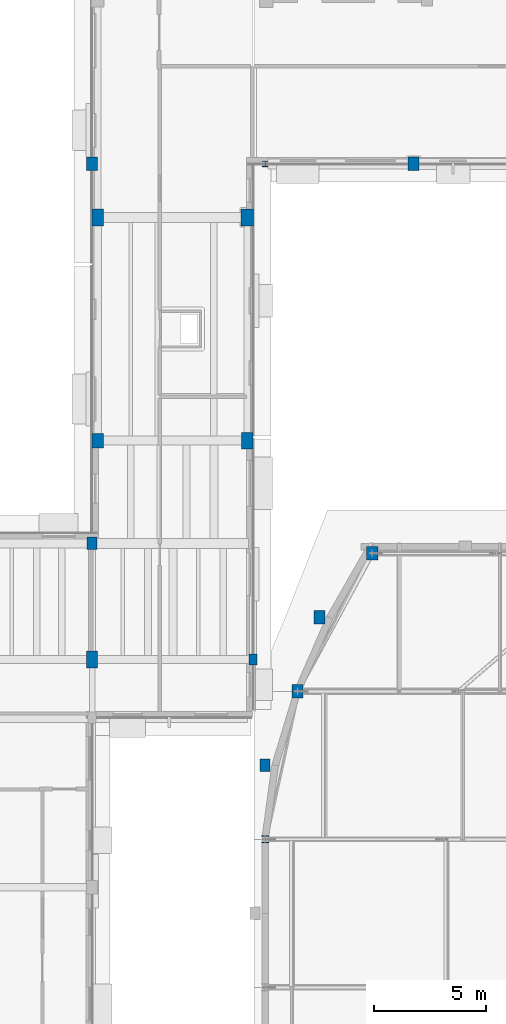
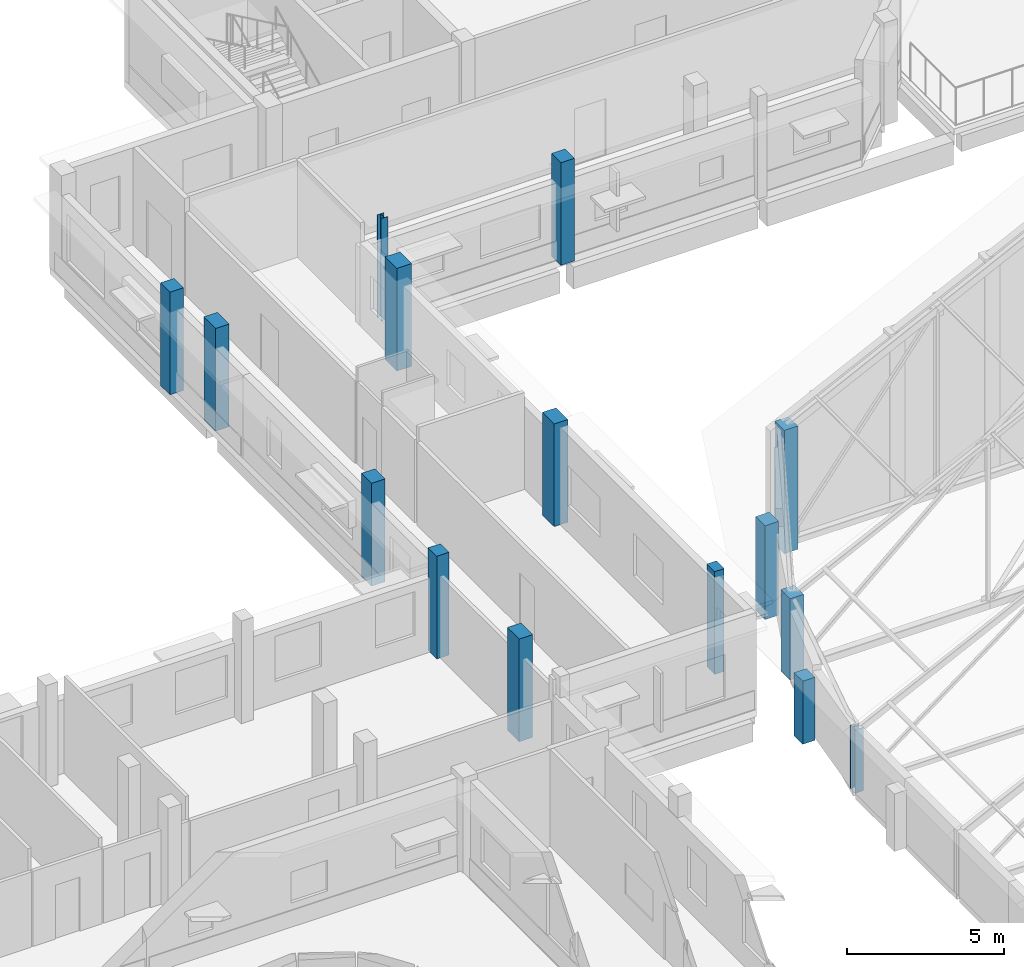
# One storey, part 9 of 78: 15 columns.
"""IFC4 building model written with IfcOpenShell, lengths in metres."""

from ifc_helpers import new_model, si_unit, direction, frame, origin, origin_2d, place, context, subcontext, project, spatial, rectangle, i_section, extrude, material, material_profile, profile_set, type_object, element, save


model = new_model("IFC4")

# Units and contexts
model_context = context("Model", 3, precision=1e-05, world=origin(), true_north=direction((0.0, 1.0)))
body_context = subcontext(model_context, "Body", "Model", "MODEL_VIEW")
ifc_project = project(units=[si_unit("LENGTHUNIT", "METRE"), si_unit("AREAUNIT", "SQUARE_METRE"), si_unit("VOLUMEUNIT", "CUBIC_METRE"), si_unit("PLANEANGLEUNIT", "RADIAN"), si_unit("MASSUNIT", "GRAM", prefix="KILO")], contexts=[model_context])

# Site, building, storey
site_placement = place(None, origin())
site = spatial("IfcSite", under=ifc_project, at=site_placement, CompositionType="ELEMENT")
building_placement = place(site_placement, origin())
building = spatial("IfcBuilding", under=site, at=building_placement, Name="Kelanivale Promenade Academy", CompositionType="ELEMENT")
storey_placement = place(building_placement, frame((0.0, 0.0, 16.199951171875)))
storey = spatial("IfcBuildingStorey", under=building, at=storey_placement, Name="L04", CompositionType="ELEMENT", Elevation=16.199951171875)

# Columns
ifc_material_1 = material(Name="Concrete C40/50", Category="concrete")
ifc_material_profile_1 = material_profile(ifc_material_1, rectangle(XDim=0.5, YDim=0.64990234375, at=origin_2d()), Name="RC-COL 500x650")
ifc_profile_set_1 = profile_set([ifc_material_profile_1], Name="Concrete C40/50")
column_type_1 = type_object("IfcColumnType", Name="C-11 RC-COL 500x650", PredefinedType="COLUMN", material=ifc_profile_set_1)
column_1_placement = place(storey_placement, frame((115.85009765625, 84.0, 0.0), z_axis=(0.0, 0.0, 1.0), x_axis=(1.0, 0.0, 0.0)))
element("IfcColumn", 1, at=column_1_placement, inside=storey, type_object=column_type_1, Name="Column C-11 at (115.8, 84.0) L04", PredefinedType="COLUMN", context=body_context, shape_type="SweptSolid", body=[
    extrude(rectangle(XDim=0.5, YDim=0.64990234375, at=origin_2d()), origin(), (0.0, 0.0, 1.0), 4.0),
])
ifc_material_profile_2 = material_profile(ifc_material_1, rectangle(XDim=0.5, YDim=0.75, at=origin_2d()), Name="RC-COL 500x750")
ifc_profile_set_2 = profile_set([ifc_material_profile_2], Name="Concrete C40/50")
column_type_2 = type_object("IfcColumnType", Name="C-12 RC-COL 500x750", PredefinedType="COLUMN", material=ifc_profile_set_2)
for number, where, z_axis, x_axis, name in (
    (2, (115.60009765625, 74.199951171875, 0.0), (0.0, 0.0, 1.0), (1.0, 0.0, 0.0), "Column C-12 at (115.6, 74.2) L04"),
    (3, (115.85009765625, 94.0, 0.0), (0.0, 0.0, 1.0), (1.0, 0.0, 0.0), "Column C-12 at (115.8, 94.0) L04"),
    (4, (122.550048828125, 84.0, 0.0), (0.0, 0.0, 1.0), (1.0, 0.0, 0.0), "Column C-12 at (122.5, 84.0) L04"),
):
    element("IfcColumn", number, at=place(storey_placement, frame(where, z_axis=z_axis, x_axis=x_axis)), inside=storey, type_object=column_type_2, Name=name, PredefinedType="COLUMN", context=body_context, shape_type="SweptSolid", body=[
        extrude(rectangle(XDim=0.5, YDim=0.75, at=origin_2d()), origin(), (0.0, 0.0, 1.0), 4.0),
    ])
ifc_material_profile_3 = material_profile(ifc_material_1, rectangle(XDim=0.550048828125, YDim=0.75, at=origin_2d()), Name="RC-COL 550x750")
ifc_profile_set_3 = profile_set([ifc_material_profile_3], Name="Concrete C40/50")
column_type_3 = type_object("IfcColumnType", Name="C-13 RC-COL 550x750", PredefinedType="COLUMN", material=ifc_profile_set_3)
column_2_placement = place(storey_placement, frame((122.550048828125, 94.0, 0.0), z_axis=(0.0, 0.0, 1.0), x_axis=(1.0, 0.0, 0.0)))
element("IfcColumn", 5, at=column_2_placement, inside=storey, type_object=column_type_3, Name="Column C-13 at (122.5, 94.0) L04", PredefinedType="COLUMN", context=body_context, shape_type="SweptSolid", body=[
    extrude(rectangle(XDim=0.550048828125, YDim=0.75, at=origin_2d()), origin(), (0.0, 0.0, 1.0), 4.0),
])
ifc_material_profile_4 = material_profile(ifc_material_1, rectangle(XDim=0.35009765625, YDim=0.5, at=origin_2d()), Name="RC-PIL 350x500")
ifc_profile_set_4 = profile_set([ifc_material_profile_4], Name="Concrete C40/50")
column_type_4 = type_object("IfcColumnType", Name="PL-15 RC-PIL 350x500", PredefinedType="PILASTER", material=ifc_profile_set_4)
column_3_placement = place(storey_placement, frame((122.800048828125, 74.199951171875, 0.0), z_axis=(0.0, 0.0, 1.0), x_axis=(1.0, 0.0, 0.0)))
element("IfcColumn", 6, at=column_3_placement, inside=storey, type_object=column_type_4, Name="Column PL-15 at (122.8, 74.2) L04", PredefinedType="PILASTER", context=body_context, shape_type="SweptSolid", body=[
    extrude(rectangle(XDim=0.35009765625, YDim=0.5, at=origin_2d()), origin(), (0.0, 0.0, 1.0), 4.0),
])
ifc_material_profile_5 = material_profile(ifc_material_1, rectangle(XDim=0.449951171875, YDim=0.550048828125, at=origin_2d()), Name="RC-PIL 450x550")
ifc_profile_set_5 = profile_set([ifc_material_profile_5], Name="Concrete C40/50")
column_type_5 = type_object("IfcColumnType", Name="PL-17 RC-PIL 450x550", PredefinedType="PILASTER", material=ifc_profile_set_5)
column_4_placement = place(storey_placement, frame((115.60009765625, 79.39990234375, 0.0), z_axis=(0.0, 0.0, 1.0), x_axis=(1.0, 0.0, 0.0)))
element("IfcColumn", 7, at=column_4_placement, inside=storey, type_object=column_type_5, Name="Column PL-17 at (115.6, 79.4) L04", PredefinedType="PILASTER", context=body_context, shape_type="SweptSolid", body=[
    extrude(rectangle(XDim=0.449951171875, YDim=0.550048828125, at=origin_2d()), origin(), (0.0, 0.0, 1.0), 4.0),
])
column_5_placement = place(storey_placement, frame((123.340087890625, 69.45703125, 0.0), z_axis=(0.0, 0.0, 1.0), x_axis=(1.0, 0.0, 0.0)))
element("IfcColumn", 8, at=column_5_placement, inside=storey, type_object=column_type_5, Name="Column PL-17 at (123.3, 69.5) L04", PredefinedType="PILASTER", context=body_context, shape_type="SweptSolid", body=[
    extrude(rectangle(XDim=0.449951171875, YDim=0.550048828125, at=origin_2d()), origin(), (0.0, 0.0, 1.0), 2.4560546875),
])
ifc_material_profile_6 = material_profile(ifc_material_1, rectangle(XDim=0.5, YDim=0.60009765625, at=origin_2d()), Name="RC-PIL 500x600")
ifc_profile_set_6 = profile_set([ifc_material_profile_6], Name="Concrete C40/50")
column_type_6 = type_object("IfcColumnType", Name="PL-18 RC-PIL 500x600", PredefinedType="PILASTER", material=ifc_profile_set_6)
column_6_placement = place(storey_placement, frame((115.60009765625, 96.39990234375, 0.0), z_axis=(0.0, 0.0, 1.0), x_axis=(1.0, 0.0, 0.0)))
element("IfcColumn", 9, at=column_6_placement, inside=storey, type_object=column_type_6, Name="Column PL-18 at (115.6, 96.4) L04", PredefinedType="PILASTER", context=body_context, shape_type="SweptSolid", body=[
    extrude(rectangle(XDim=0.5, YDim=0.60009765625, at=origin_2d()), origin(), (0.0, 0.0, 1.0), 4.0),
])
column_7_placement = place(storey_placement, frame((124.800048828125, 72.77099609375, 0.0), z_axis=(0.0, 0.0, 1.0), x_axis=(1.0, 0.0, 0.0)))
element("IfcColumn", 10, at=column_7_placement, inside=storey, type_object=column_type_6, Name="Column PL-18 at (124.8, 72.8) L04", PredefinedType="PILASTER", context=body_context, shape_type="SweptSolid", body=[
    extrude(rectangle(XDim=0.5, YDim=0.60009765625, at=origin_2d()), origin(), (0.0, 0.0, 1.0), 3.1689453125),
])
column_8_placement = place(storey_placement, frame((125.7900390625, 76.0859375, 0.0), z_axis=(0.0, 0.0, 1.0), x_axis=(1.0, 0.0, 0.0)))
element("IfcColumn", 11, at=column_8_placement, inside=storey, type_object=column_type_6, Name="Column PL-18 at (125.8, 76.1) L04", PredefinedType="PILASTER", context=body_context, shape_type="SweptSolid", body=[
    extrude(rectangle(XDim=0.5, YDim=0.60009765625, at=origin_2d()), origin(), (0.0, 0.0, 1.0), 3.653076171875),
])
column_9_placement = place(storey_placement, frame((128.14990234375, 78.949951171875, 0.0), z_axis=(0.0, 0.0, 1.0), x_axis=(1.0, 0.0, 0.0)))
element("IfcColumn", 12, at=column_9_placement, inside=storey, type_object=column_type_6, Name="Column PL-18 at (128.2, 79.0) L04", PredefinedType="PILASTER", context=body_context, shape_type="SweptSolid", body=[
    extrude(rectangle(XDim=0.5, YDim=0.60009765625, at=origin_2d()), origin(), (0.0, 0.0, 1.0), 4.804931640625),
])
column_10_placement = place(storey_placement, frame((130.0, 96.39990234375, 0.0), z_axis=(0.0, 0.0, 1.0), x_axis=(1.0, 0.0, 0.0)))
element("IfcColumn", 13, at=column_10_placement, inside=storey, type_object=column_type_6, Name="Column PL-18 at (130.0, 96.4) L04", PredefinedType="PILASTER", context=body_context, shape_type="SweptSolid", body=[
    extrude(rectangle(XDim=0.5, YDim=0.60009765625, at=origin_2d()), origin(), (0.0, 0.0, 1.0), 4.0),
])
ifc_material_2 = material(Name="Steel S355", Category="steel")
ifc_material_profile_7 = material_profile(ifc_material_2, i_section(OverallWidth=0.254638671875, OverallDepth=0.254150390625, WebThickness=0.008544921875, FlangeThickness=0.01416015625, FilletRadius=0.0126953125, at=origin_2d()), Name="UC 254x254x73")
ifc_profile_set_7 = profile_set([ifc_material_profile_7], Name="Steel S355")
column_type_7 = type_object("IfcColumnType", Name="SC-02 UC 254x254x73", PredefinedType="COLUMN", material=ifc_profile_set_7)
column_11_placement = place(storey_placement, frame((123.35009765625, 96.39990234375, 0.0), z_axis=(0.0, 0.0, 1.0), x_axis=(1.0, 0.0, 0.0)))
element("IfcColumn", 14, at=column_11_placement, inside=storey, type_object=column_type_7, Name="Column SC-02 at (123.3, 96.4) L04", PredefinedType="COLUMN", context=body_context, shape_type="SweptSolid", body=[
    extrude(i_section(OverallWidth=0.254638671875, OverallDepth=0.254150390625, WebThickness=0.008544921875, FlangeThickness=0.01416015625, FilletRadius=0.0126953125, at=origin_2d()), origin(), (0.0, 0.0, 1.0), 4.0),
])
ifc_material_profile_8 = material_profile(ifc_material_2, i_section(OverallWidth=0.307373046875, OverallDepth=0.314453125, WebThickness=0.011962890625, FlangeThickness=0.018798828125, FilletRadius=0.01513671875, at=origin_2d()), Name="UC 305x305x118")
ifc_profile_set_8 = profile_set([ifc_material_profile_8], Name="Steel S355")
column_type_8 = type_object("IfcColumnType", Name="SC-04 UC 305x305x118", PredefinedType="COLUMN", material=ifc_profile_set_8)
column_12_placement = place(storey_placement, frame((123.35009765625, 66.14306640625, 0.0), z_axis=(0.0, 0.0, 1.0), x_axis=(1.0, 0.0, 0.0)))
element("IfcColumn", 15, at=column_12_placement, inside=storey, type_object=column_type_8, Name="Column SC-04 at (123.3, 66.1) L04", PredefinedType="COLUMN", context=body_context, shape_type="SweptSolid", body=[
    extrude(i_section(OverallWidth=0.307373046875, OverallDepth=0.314453125, WebThickness=0.011962890625, FlangeThickness=0.018798828125, FilletRadius=0.01513671875, at=origin_2d()), origin(), (0.0, 0.0, 1.0), 2.4609375),
])

save(model, "model.ifc")
